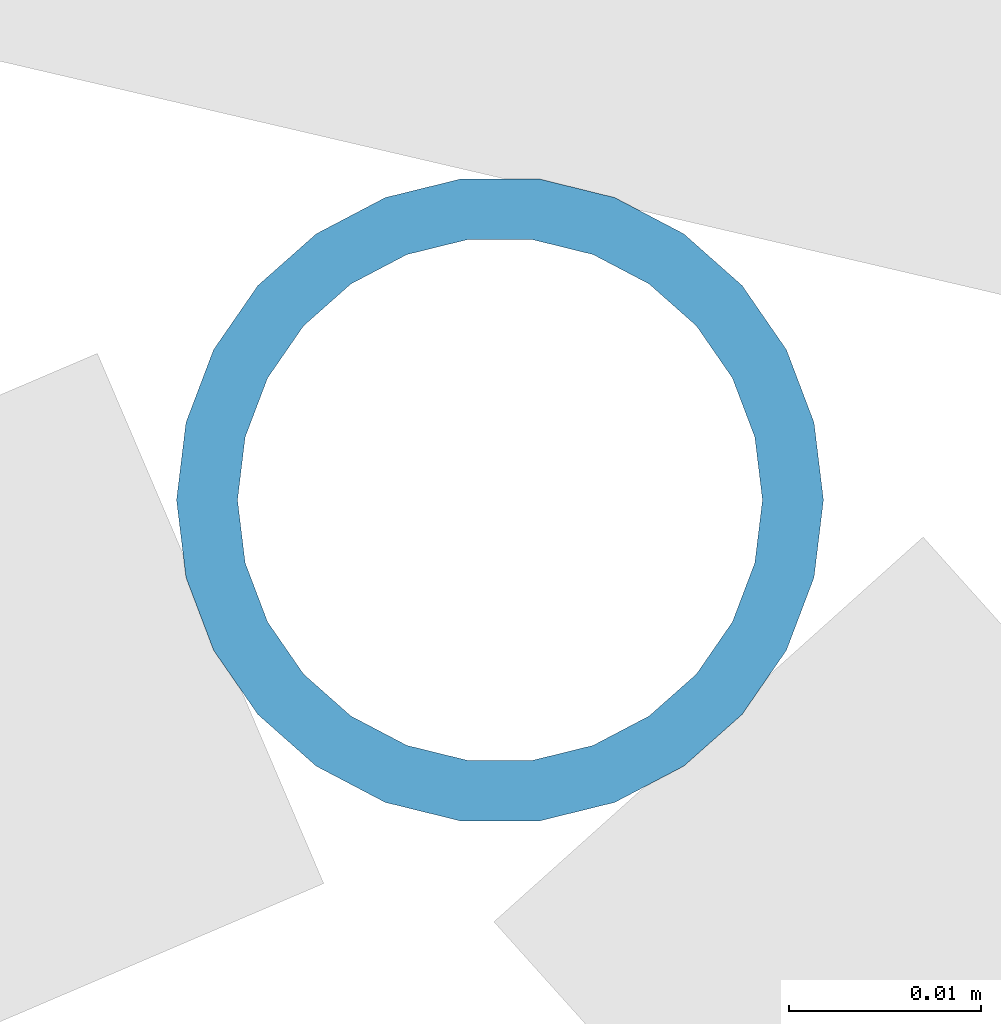
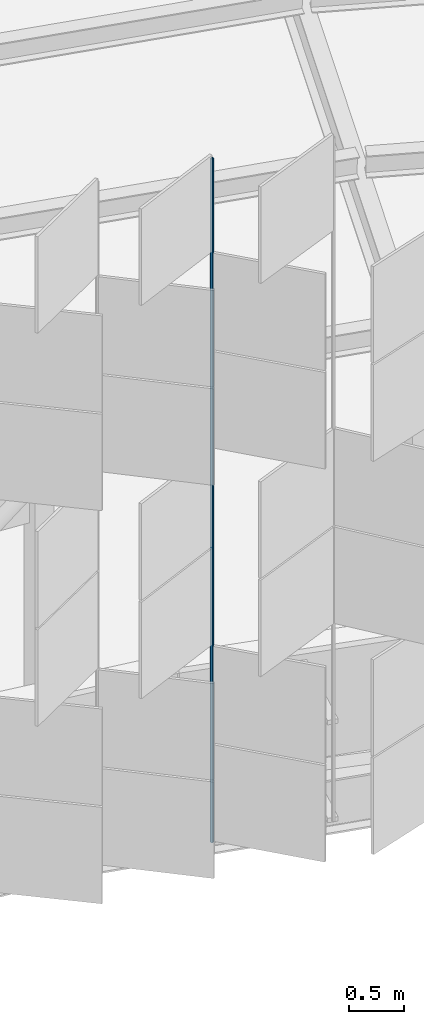
# One storey, part 244 of 483: 1 discrete accessory.
"""IFC4 building model written with IfcOpenShell, lengths in metres."""

import ifcopenshell
import ifcopenshell.guid

model = None  # the IFC model being written
_history = None  # IfcOwnerHistory: only IFC2X3 demands one
_inside = {}  # id of a spatial element -> (the spatial element, [elements in it])
_under = {}  # id of a project, library or spatial element -> (it, [spatial elements below it])
_declared = {}  # id of a project -> (the project, [libraries it declares])
_typed = {}  # id of a type object -> (the type object, [elements of that type])
_made_of = {}  # id of a material, layer set ... -> (it, [elements and type objects made of it])


def new_model(schema):
    """Start an empty IFC model of exactly this schema.

    Asked for "IFC4X3", IfcOpenShell would pick the latest addendum, in which some entities
    have other attributes; the version numbers below select the first issue.
    IFC2X3 requires an IfcOwnerHistory on every rooted entity: one is made here for all.
    """
    global model, _history
    if schema == "IFC4X3":
        model = ifcopenshell.file(schema_version=(4, 3, 0, 0))
    else:
        model = ifcopenshell.file(schema=schema)
    _inside.clear()
    _under.clear()
    _declared.clear()
    _typed.clear()
    _made_of.clear()
    _history = None
    if model.schema == "IFC2X3":
        org = make("IfcOrganization", Name="unknown")
        user = make(
            "IfcPersonAndOrganization",
            ThePerson=make("IfcPerson", FamilyName="unknown"),
            TheOrganization=org,
        )
        app = make(
            "IfcApplication",
            ApplicationDeveloper=org,
            Version="unknown",
            ApplicationFullName="unknown",
            ApplicationIdentifier="unknown",
        )
        _history = make(
            "IfcOwnerHistory",
            OwningUser=user,
            OwningApplication=app,
            ChangeAction="ADDED",
            CreationDate=0,
        )
    return model


def make(cls, **values):
    """One entity of the class cls with the attributes given. An attribute that is None is left unset."""
    return model.create_entity(
        cls, **{name: value for name, value in values.items() if value is not None}
    )


def rooted(cls, **values):
    """An entity with a GlobalId (a new one), such as an element, a storey or a relation."""
    return make(cls, GlobalId=ifcopenshell.guid.new(), OwnerHistory=_history, **values)


def si_unit(unit_type, name, prefix=None):
    """IfcSIUnit, for example si_unit("LENGTHUNIT", "METRE", prefix="MILLI")."""
    return make("IfcSIUnit", UnitType=unit_type, Prefix=prefix, Name=name)


def assignment(units):
    """IfcUnitAssignment: the units of a project."""
    return None if units is None else make("IfcUnitAssignment", Units=units)


def point(xyz):
    """IfcCartesianPoint."""
    return None if xyz is None else make("IfcCartesianPoint", Coordinates=xyz)


def direction(xyz):
    """IfcDirection."""
    return None if xyz is None else make("IfcDirection", DirectionRatios=xyz)


def frame(location, z_axis=None, x_axis=None):
    """IfcAxis2Placement3D, a coordinate frame: its origin and axes. An axis left out is left unset."""
    return make(
        "IfcAxis2Placement3D",
        Location=point(location),
        Axis=direction(z_axis),
        RefDirection=direction(x_axis),
    )


def frame_2d(location, x_axis=None):
    """IfcAxis2Placement2D, a coordinate frame in the plane: its origin and x axis."""
    return make(
        "IfcAxis2Placement2D", Location=point(location), RefDirection=direction(x_axis)
    )


def origin():
    """The frame at (0, 0, 0) with its axes left unset."""
    return frame((0.0, 0.0, 0.0))


def origin_2d():
    """The frame at (0, 0) in the plane with its x axis left unset."""
    return frame_2d((0.0, 0.0))


def place(relative_to, where):
    """IfcLocalPlacement: puts the frame where relative to a parent placement (None: the world)."""
    return make(
        "IfcLocalPlacement", PlacementRelTo=relative_to, RelativePlacement=where
    )


def context(
    kind, dimensions, precision=None, world=None, true_north=None, identifier=None
):
    """IfcGeometricRepresentationContext, for example the 3D "Model" context."""
    return make(
        "IfcGeometricRepresentationContext",
        ContextIdentifier=identifier,
        ContextType=kind,
        CoordinateSpaceDimension=dimensions,
        Precision=precision,
        WorldCoordinateSystem=world,
        TrueNorth=true_north,
    )


def subcontext(parent, identifier, kind, view, scale=None):
    """IfcGeometricRepresentationSubContext, for example "Body" below "Model"."""
    return make(
        "IfcGeometricRepresentationSubContext",
        ContextIdentifier=identifier,
        ContextType=kind,
        ParentContext=parent,
        TargetScale=scale,
        TargetView=view,
    )


def project(units=None, contexts=None):
    """IfcProject with its units and contexts."""
    return rooted(
        "IfcProject",
        Name="project",
        RepresentationContexts=contexts,
        UnitsInContext=assignment(units),
    )


def spatial(cls, under=None, at=None, **own):
    """A site, building, storey or space (cls), placed at a placement, below another one or the project."""
    s = rooted(cls, ObjectPlacement=at, **own)
    if under is not None:
        _under.setdefault(under.id(), (under, []))[1].append(s)
    return s


def profile(cls, at=None, kind="AREA", **sizes):
    """A parametric profile (cls). Its sizes go by their IFC names, for example OverallWidth=200.0."""
    return make(cls, ProfileType=kind, Position=at, **sizes)


def hollow_circle(**sizes):
    """IfcCircleHollowProfileDef."""
    return profile("IfcCircleHollowProfileDef", **sizes)


def extrude(swept, where, along, depth):
    """IfcExtrudedAreaSolid: the profile swept, set in the frame where, extruded along a direction by depth."""
    return make(
        "IfcExtrudedAreaSolid",
        SweptArea=swept,
        Position=where,
        ExtrudedDirection=direction(along),
        Depth=depth,
    )


def shape(context_of_items, identifier, shape_type, items):
    """IfcShapeRepresentation: the items that make up one representation, for example the "Body"."""
    return make(
        "IfcShapeRepresentation",
        ContextOfItems=context_of_items,
        RepresentationIdentifier=identifier,
        RepresentationType=shape_type,
        Items=items,
    )


def material(Name=None, Category=None):
    """IfcMaterial."""
    return make("IfcMaterial", Name=Name, Category=Category)


def material_profile(
    of_material, cross_section, Name=None, Category=None, Priority=None
):
    """IfcMaterialProfile: a cross section and its material."""
    return make(
        "IfcMaterialProfile",
        Name=Name,
        Material=of_material,
        Profile=cross_section,
        Priority=Priority,
        Category=Category,
    )


def profile_set(profiles, Name=None, composite=None):
    """IfcMaterialProfileSet."""
    return make(
        "IfcMaterialProfileSet",
        Name=Name,
        MaterialProfiles=profiles,
        CompositeProfile=composite,
    )


def made_of(thing, what):
    """Note that an element or type object is made of a material, layer set ...; save() writes the relation."""
    if what is not None:
        _made_of.setdefault(what.id(), (what, []))[1].append(thing)
    return thing


def type_object(cls, material=None, **own):
    """A type object (cls), such as IfcWallType, which elements share."""
    return made_of(rooted(cls, **own), material)


def element(
    cls,
    number,
    at=None,
    inside=None,
    cuts=None,
    type_object=None,
    material=None,
    context=None,
    identifier="Body",
    shape_type=None,
    held_by="IfcProductDefinitionShape",
    body=None,
    shapes=None,
    **own,
):
    """One element of the class cls, such as IfcWall. Its Tag is "e" and its number.

    at: its placement. inside: the storey or other place that contains it. cuts: it is an
    opening in that element (IfcRelVoidsElement). A single representation is given by context,
    identifier, shape_type and body (its items); several are given by shapes. held_by: the class
    of the entity that holds the representations. save() writes the other relations.
    """
    e = rooted(cls, Tag="e%d" % number, ObjectPlacement=at, **own)
    if body is not None:
        shapes = [shape(context, identifier, shape_type, body)]
    if shapes is not None:
        e.Representation = make(held_by, Representations=shapes)
    if inside is not None:
        _inside.setdefault(inside.id(), (inside, []))[1].append(e)
    if cuts is not None:
        rooted(
            "IfcRelVoidsElement", RelatingBuildingElement=cuts, RelatedOpeningElement=e
        )
    if type_object is not None:
        _typed.setdefault(type_object.id(), (type_object, []))[1].append(e)
    return made_of(e, material)


def aggregate(whole, parts):
    """IfcRelAggregates: a whole, such as a stair, and the parts it consists of."""
    return rooted("IfcRelAggregates", RelatingObject=whole, RelatedObjects=parts)


def save(model, path):
    """Write the relations noted so far, then the file.

    IfcRelAggregates (storeys below a building ...), IfcRelContainedInSpatialStructure (elements
    in a storey), IfcRelDefinesByType, IfcRelAssociatesMaterial and IfcRelDeclares: one each for
    every whole, place, type object, material and project.
    """
    for whole, parts in _under.values():
        aggregate(whole, parts)
    for where, things in _inside.values():
        rooted(
            "IfcRelContainedInSpatialStructure",
            RelatedElements=things,
            RelatingStructure=where,
        )
    for kind, things in _typed.values():
        rooted("IfcRelDefinesByType", RelatedObjects=things, RelatingType=kind)
    for what, things in _made_of.values():
        rooted("IfcRelAssociatesMaterial", RelatedObjects=things, RelatingMaterial=what)
    for by, libraries in _declared.values():
        rooted("IfcRelDeclares", RelatingContext=by, RelatedDefinitions=libraries)
    model.write(path)


model = new_model("IFC4")

# Units and contexts
model_context = context("Model", 3, precision=1e-05, world=origin(), true_north=direction((0.0, 1.0)))
body_context = subcontext(model_context, "Body", "Model", "MODEL_VIEW")
ifc_project = project(units=[si_unit("LENGTHUNIT", "METRE"), si_unit("AREAUNIT", "SQUARE_METRE"), si_unit("VOLUMEUNIT", "CUBIC_METRE"), si_unit("PLANEANGLEUNIT", "RADIAN"), si_unit("MASSUNIT", "GRAM", prefix="KILO")], contexts=[model_context])

# Site, building, storey
site_placement = place(None, origin())
site = spatial("IfcSite", under=ifc_project, at=site_placement, CompositionType="ELEMENT")
building_placement = place(site_placement, origin())
building = spatial("IfcBuilding", under=site, at=building_placement, Name="Parallax Yard Mobility Hub", CompositionType="ELEMENT")
storey_placement = place(building_placement, frame((0.0, 0.0, 13.199951171875)))
storey = spatial("IfcBuildingStorey", under=building, at=storey_placement, Name="L04", CompositionType="ELEMENT", Elevation=13.199951171875)

# Discrete accessory
ifc_material = material(Name="Steel ASTM A500 Gr C, hot-dip galvanised", Category="steel")
ifc_material_profile = material_profile(ifc_material, hollow_circle(Radius=0.016845703125, WallThickness=0.003173828125, at=origin_2d()), Name="CHS 33.7x3.2")
ifc_profile_set = profile_set([ifc_material_profile], Name="Steel ASTM A500 Gr C, hot-dip galvanised")
discrete_accessory_type = type_object("IfcDiscreteAccessoryType", Name="Hinge post CHS 33.7x3.2", PredefinedType="BRACKET", material=ifc_profile_set)
discrete_accessory_placement = place(storey_placement, frame((176.953125, 111.02587890625, 0.0), z_axis=(0.0, 0.0, 1.0), x_axis=(1.0, 0.0, 0.0)))
element("IfcDiscreteAccessory", 1, at=discrete_accessory_placement, inside=storey, type_object=discrete_accessory_type, Name="Hinge post bay 18.5 level L04", PredefinedType="BRACKET", context=body_context, shape_type="SweptSolid", body=[
    extrude(hollow_circle(Radius=0.016845703125, WallThickness=0.003173828125, at=origin_2d()), origin(), (0.0, 0.0, 1.0), 7.650146484375),
])

save(model, "model.ifc")
